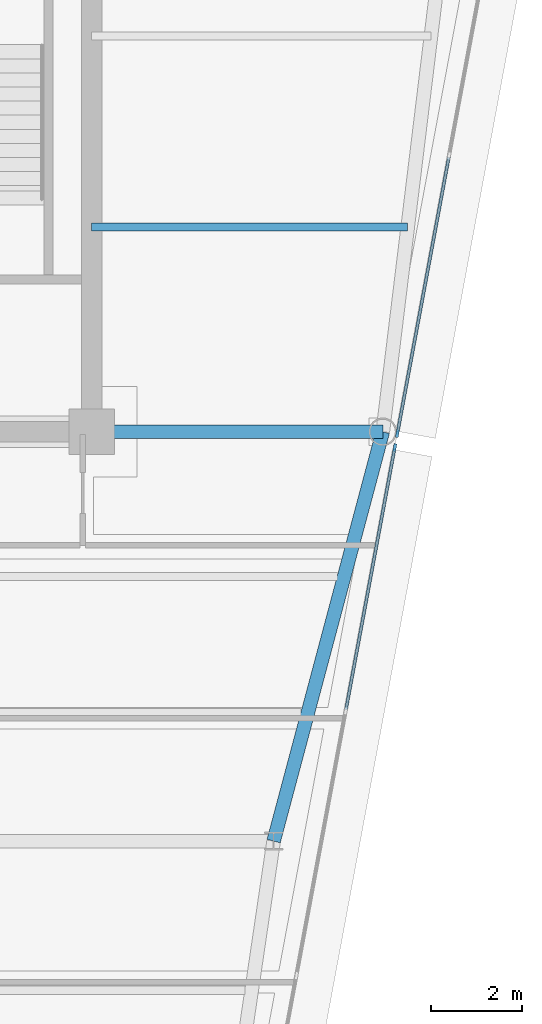
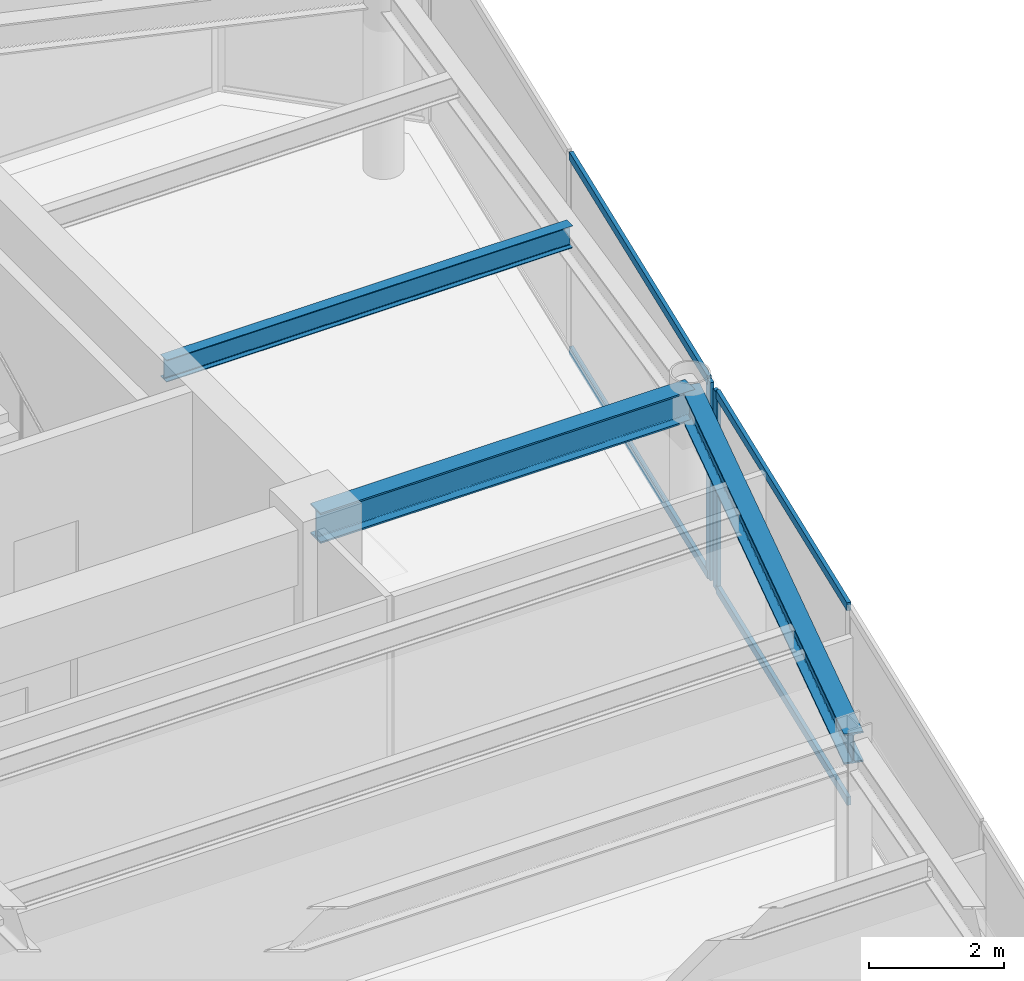
# One storey, part 6 of 18: 6 members, 3 beams, 2 elements without a shape of their own.
"""IFC4 building model written with IfcOpenShell, lengths in metres."""

from ifc_helpers import new_model, si_unit, direction, frame, origin, origin_2d, place, context, subcontext, project, spatial, rectangle, i_section, extrude, source, transform, mapped, material, layer, layer_set, material_profile, profile_set, type_object, element, aggregate, save


model = new_model("IFC4")

# Units and contexts
model_context = context("Model", 3, precision=1e-05, world=origin(), true_north=direction((0.0, 1.0)))
body_context = subcontext(model_context, "Body", "Model", "MODEL_VIEW")
ifc_project = project(units=[si_unit("LENGTHUNIT", "METRE"), si_unit("AREAUNIT", "SQUARE_METRE"), si_unit("VOLUMEUNIT", "CUBIC_METRE"), si_unit("PLANEANGLEUNIT", "RADIAN"), si_unit("MASSUNIT", "GRAM", prefix="KILO")], contexts=[model_context])

# Site, building, storey
site_placement = place(None, origin())
site = spatial("IfcSite", under=ifc_project, at=site_placement, CompositionType="ELEMENT")
building_placement = place(site_placement, origin())
building = spatial("IfcBuilding", under=site, at=building_placement, Name="Vaeldorn Concourse Tower", CompositionType="ELEMENT")
storey_placement = place(building_placement, frame((0.0, 0.0, 246.0)))
storey = spatial("IfcBuildingStorey", under=building, at=storey_placement, Name="L63", CompositionType="ELEMENT", Elevation=246.0)

# Beams
ifc_material_1 = material(Name="Steel S355", Category="steel")
ifc_material_profile_1 = material_profile(ifc_material_1, i_section(OverallWidth=0.179931640625, OverallDepth=0.39990234375, WebThickness=0.008544921875, FlangeThickness=0.013427734375, FilletRadius=0.02099609375, at=origin_2d()), Name="IPE 400")
ifc_profile_set_1 = profile_set([ifc_material_profile_1], Name="Steel S355")
beam_type_1 = type_object("IfcBeamType", Name="BM-JS-IPE400", PredefinedType="JOIST", material=ifc_profile_set_1)
shared_shape_1 = source(origin(), body_context, "Body", "SweptSolid", [
    extrude(i_section(OverallWidth=0.179931640625, OverallDepth=0.39990234375, WebThickness=0.008544921875, FlangeThickness=0.013427734375, FilletRadius=0.02099609375, at=origin_2d()), origin(), (0.0, 0.0, 1.0), 6.94775390625),
])
beam_1_placement = place(storey_placement, frame((54.0, 41.0, 3.3798828125), z_axis=(1.0, 0.0, 0.0), x_axis=(0.0, 1.0, 0.0)))
element("IfcBeam", 1, at=beam_1_placement, inside=storey, type_object=beam_type_1, Name="Beam JS-L63-NE-410", PredefinedType="JOIST", context=body_context, shape_type="MappedRepresentation", body=[
    mapped(shared_shape_1, transform((0.0, 0.0, 0.0), scale=1.0)),
])
ifc_material_profile_2 = material_profile(ifc_material_1, i_section(OverallWidth=0.300048828125, OverallDepth=0.550048828125, WebThickness=0.014892578125, FlangeThickness=0.029052734375, FilletRadius=0.027099609375, at=origin_2d()), Name="HEB 550")
ifc_profile_set_2 = profile_set([ifc_material_profile_2], Name="Steel S355")
beam_type_2 = type_object("IfcBeamType", Name="BM-PG-HEB550", PredefinedType="BEAM", material=ifc_profile_set_2)
shared_shape_2 = source(origin(), body_context, "Body", "SweptSolid", [
    extrude(i_section(OverallWidth=0.300048828125, OverallDepth=0.550048828125, WebThickness=0.014892578125, FlangeThickness=0.029052734375, FilletRadius=0.027099609375, at=origin_2d()), origin(), (0.0, 0.0, 1.0), 6.39990234375),
])
beam_2_placement = place(storey_placement, frame((54.0, 36.5, 3.304931640625), z_axis=(1.0, 0.0, 0.0), x_axis=(0.0, 1.0, 0.0)))
element("IfcBeam", 2, at=beam_2_placement, inside=storey, type_object=beam_type_2, Name="Beam BM-L63-C-FC6-C-NE2", PredefinedType="BEAM", context=body_context, shape_type="MappedRepresentation", body=[
    mapped(shared_shape_2, transform((0.0, 0.0, 0.0), scale=1.0)),
])
shared_shape_3 = source(origin(), body_context, "Body", "SweptSolid", [
    extrude(i_section(OverallWidth=0.300048828125, OverallDepth=0.550048828125, WebThickness=0.014892578125, FlangeThickness=0.029052734375, FilletRadius=0.027099609375, at=origin_2d()), origin(), (0.0, 0.0, 1.0), 9.314453125),
])
beam_3_placement = place(storey_placement, frame((60.39990234375, 36.5, 3.304931640625), z_axis=(-0.257652862255, -0.966237549763, 0.0), x_axis=(0.966237549763, -0.257652862255, 0.0)))
element("IfcBeam", 3, at=beam_3_placement, inside=storey, type_object=beam_type_2, Name="Beam BM-L63-C-NE2-C-FLE1", PredefinedType="BEAM", context=body_context, shape_type="MappedRepresentation", body=[
    mapped(shared_shape_3, transform((0.0, 0.0, 0.0), scale=1.0)),
])

# Curtain wall, member
ifc_material_2 = material(Name="Anodised Bronze Aluminium", Category="aluminium")
ifc_layer = layer(ifc_material_2, 0.179931640625)
ifc_layer_set = layer_set([ifc_layer], Name="Anodised Bronze Aluminium")
curtain_wall_type = type_object("IfcCurtainWallType", Name="CW-SYS-05", PredefinedType="NOTDEFINED", material=ifc_layer_set)
curtain_wall_1_placement = place(storey_placement, origin())
curtain_wall_1 = element("IfcCurtainWall", 4, at=curtain_wall_1_placement, inside=storey, type_object=curtain_wall_type, Name="Unitised Curtain Wall CW-L63-E07-1", PredefinedType="NOTDEFINED")
ifc_material_profile_3 = material_profile(ifc_material_2, rectangle(XDim=0.06494140625, YDim=0.169921875, at=origin_2d()), Name="CWM 65x170")
ifc_profile_set_3 = profile_set([ifc_material_profile_3], Name="Anodised Bronze Aluminium")
member_type_1 = type_object("IfcMemberType", Name="CWM-BRONZE-170", PredefinedType="MULLION", material=ifc_profile_set_3)
shared_shape_4 = source(origin(), body_context, "Body", "SweptSolid", [
    extrude(rectangle(XDim=0.06494140625, YDim=0.169921875, at=origin_2d()), origin(), (0.0, 0.0, 1.0), 3.580078125),
])
member_1_placement = place(storey_placement, frame((60.663818359375, 36.153076171875, 0.0), z_axis=(0.0, 0.0, 1.0), x_axis=(-0.983102653673, 0.18305510739, 0.0)))
member_1 = element("IfcMember", 5, at=member_1_placement, type_object=member_type_1, Name="CW-05 mullion 5", PredefinedType="MULLION", context=body_context, shape_type="MappedRepresentation", body=[
    mapped(shared_shape_4, transform((0.0, 0.0, 0.0), scale=1.0)),
])

curtain_wall_2_placement = place(storey_placement, origin())
curtain_wall_2 = element("IfcCurtainWall", 6, at=curtain_wall_2_placement, inside=storey, type_object=curtain_wall_type, Name="Unitised Curtain Wall CW-L63-E07-2", PredefinedType="NOTDEFINED")
member_2_placement = place(storey_placement, frame((60.720947265625, 36.460205078125, 0.0), z_axis=(0.0, 0.0, 1.0), x_axis=(-0.983102768025, 0.183054493257, 0.0)))
member_2 = element("IfcMember", 7, at=member_2_placement, type_object=member_type_1, Name="CW-05 mullion 1", PredefinedType="MULLION", context=body_context, shape_type="MappedRepresentation", body=[
    mapped(shared_shape_4, transform((0.0, 0.0, 0.0), scale=1.0)),
])

# Member
ifc_material_profile_4 = material_profile(ifc_material_2, rectangle(XDim=0.06494140625, YDim=0.14990234375, at=origin_2d()), Name="CWT 65x150")
ifc_profile_set_4 = profile_set([ifc_material_profile_4], Name="Anodised Bronze Aluminium")
member_type_2 = type_object("IfcMemberType", Name="CWT-BRONZE-150", PredefinedType="USERDEFINED", material=ifc_profile_set_4)
shared_shape_5 = source(origin(), body_context, "Body", "SweptSolid", [
    extrude(rectangle(XDim=0.06494140625, YDim=0.14990234375, at=origin_2d()), origin(), (0.0, 0.0, 1.0), 5.82373046875),
])
member_3_placement = place(storey_placement, frame((59.591796875, 30.395751953125, 0.032470703125), z_axis=(0.183030414843, 0.983107251139, 0.0), x_axis=(-0.983107251139, 0.183030414843, 0.0)))
member_3 = element("IfcMember", 8, at=member_3_placement, type_object=member_type_2, Name="CW-05 transom 4.1", ObjectType="TRANSOM", PredefinedType="USERDEFINED", context=body_context, shape_type="MappedRepresentation", body=[
    mapped(shared_shape_5, transform((0.0, 0.0, 0.0), scale=1.0)),
])

member_4_placement = place(storey_placement, frame((59.591796875, 30.395751953125, 3.547607421875), z_axis=(0.183030414843, 0.983107251139, 0.0), x_axis=(-0.983107251139, 0.183030414843, 0.0)))
member_4 = element("IfcMember", 9, at=member_4_placement, type_object=member_type_2, Name="CW-05 transom 4.2", ObjectType="TRANSOM", PredefinedType="USERDEFINED", context=body_context, shape_type="MappedRepresentation", body=[
    mapped(shared_shape_5, transform((0.0, 0.0, 0.0), scale=1.0)),
])

aggregate(curtain_wall_1, [member_1, member_3, member_4])

shared_shape_6 = source(origin(), body_context, "Body", "SweptSolid", [
    extrude(rectangle(XDim=0.06494140625, YDim=0.14990234375, at=origin_2d()), origin(), (0.0, 0.0, 1.0), 6.143798828125),
])
member_5_placement = place(storey_placement, frame((60.726806640625, 36.4921875, 0.032470703125), z_axis=(0.183069583935, 0.983099958009, 0.0), x_axis=(-0.983099958009, 0.183069583935, 0.0)))
member_5 = element("IfcMember", 10, at=member_5_placement, type_object=member_type_2, Name="CW-05 transom 1.1", ObjectType="TRANSOM", PredefinedType="USERDEFINED", context=body_context, shape_type="MappedRepresentation", body=[
    mapped(shared_shape_6, transform((0.0, 0.0, 0.0), scale=1.0)),
])

member_6_placement = place(storey_placement, frame((60.726806640625, 36.4921875, 3.547607421875), z_axis=(0.183069583935, 0.983099958009, 0.0), x_axis=(-0.983099958009, 0.183069583935, 0.0)))
member_6 = element("IfcMember", 11, at=member_6_placement, type_object=member_type_2, Name="CW-05 transom 1.2", ObjectType="TRANSOM", PredefinedType="USERDEFINED", context=body_context, shape_type="MappedRepresentation", body=[
    mapped(shared_shape_6, transform((0.0, 0.0, 0.0), scale=1.0)),
])

aggregate(curtain_wall_2, [member_2, member_5, member_6])

save(model, "model.ifc")
